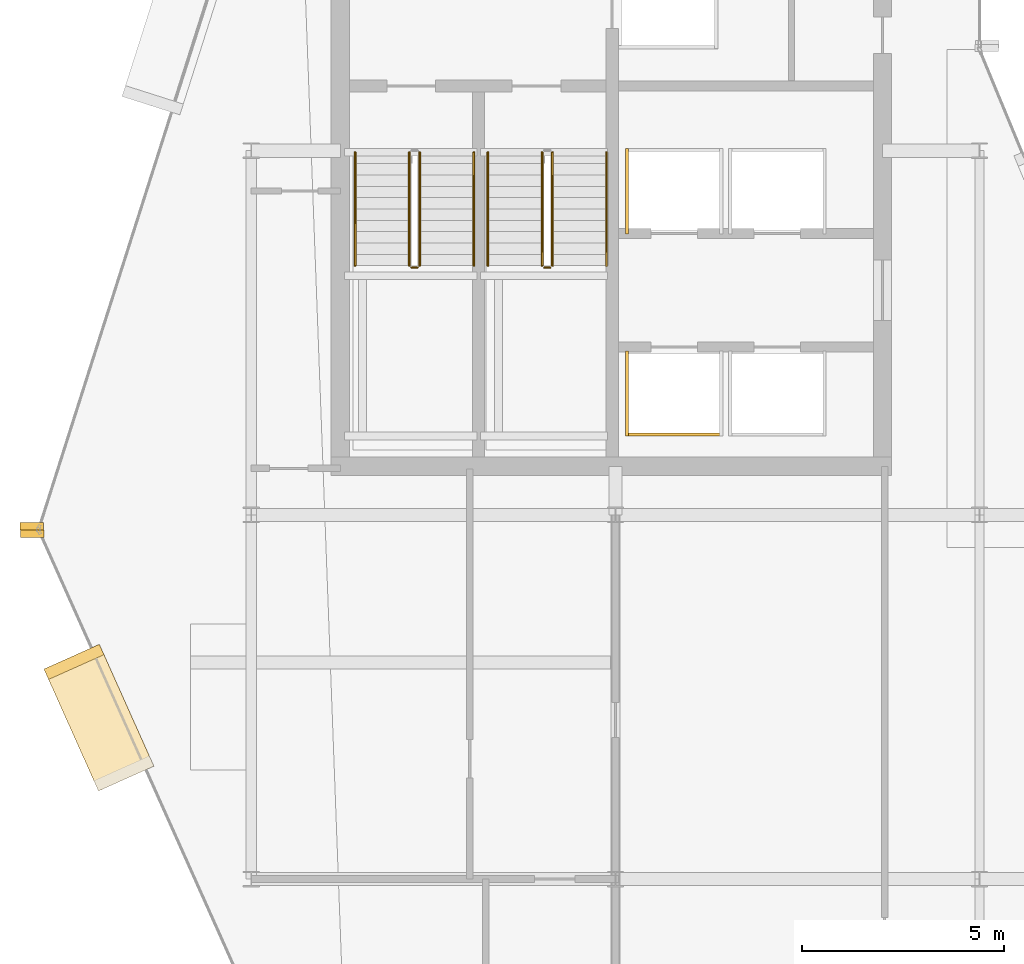
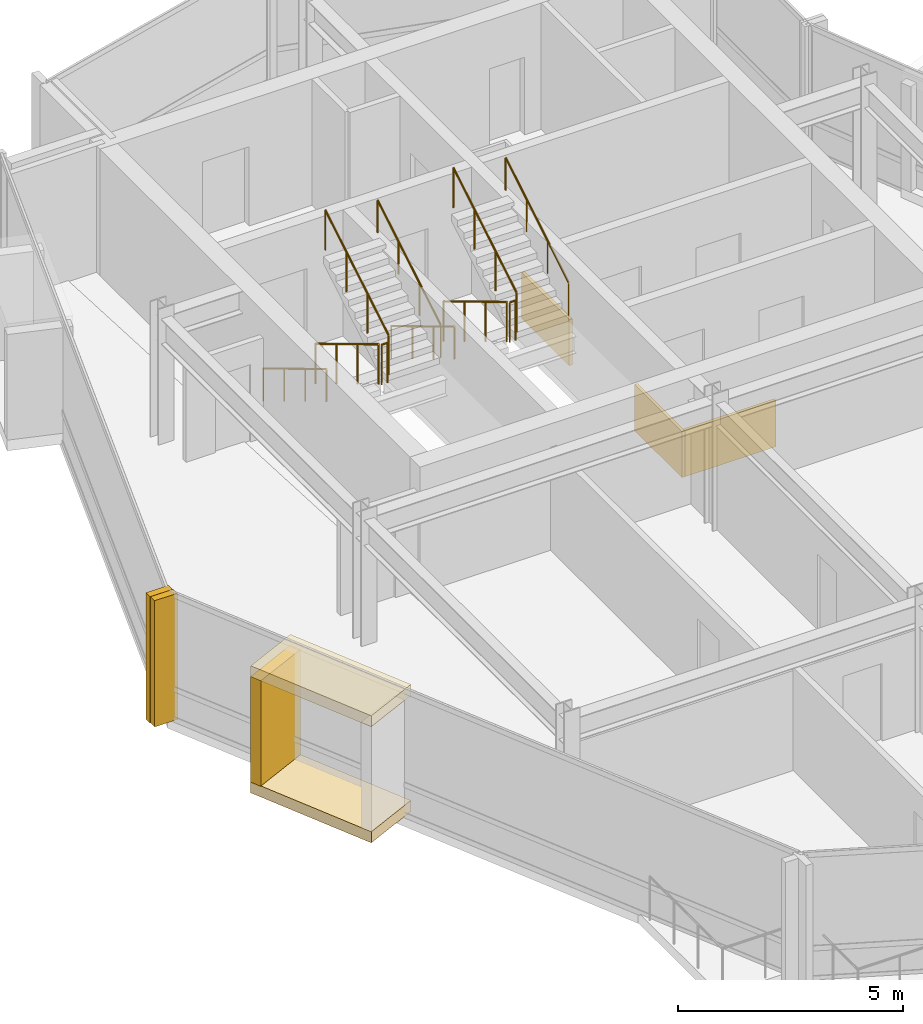
# One storey, part 17 of 19: 10 railings, 8 coverings.
"""IFC4 building model written with IfcOpenShell, lengths in metres."""

from ifc_helpers import new_model, si_unit, direction, frame, origin, origin_2d, place, context, subcontext, project, spatial, rectangle, circle, extrude, material, layer, layer_set, type_object, element, save


model = new_model("IFC4")

# Units and contexts
model_context = context("Model", 3, precision=1e-05, world=origin(), true_north=direction((0.0, 1.0)))
body_context = subcontext(model_context, "Body", "Model", "MODEL_VIEW")
ifc_project = project(units=[si_unit("LENGTHUNIT", "METRE"), si_unit("AREAUNIT", "SQUARE_METRE"), si_unit("VOLUMEUNIT", "CUBIC_METRE"), si_unit("PLANEANGLEUNIT", "RADIAN"), si_unit("MASSUNIT", "GRAM", prefix="KILO")], contexts=[model_context])

# Site, building, storey
site_placement = place(None, origin())
site = spatial("IfcSite", under=ifc_project, at=site_placement, CompositionType="ELEMENT")
building_placement = place(site_placement, origin())
building = spatial("IfcBuilding", under=site, at=building_placement, Name="Solvaryn Broadcast Tower", CompositionType="ELEMENT")
storey_placement = place(building_placement, frame((0.0, 0.0, 248.199951171875)))
storey = spatial("IfcBuildingStorey", under=building, at=storey_placement, Name="L62", CompositionType="ELEMENT", Elevation=248.199951171875)

# Coverings
ifc_material_1 = material(Name="Fire-Rated Gypsum Shaftwall Liner", Category="concrete")
ifc_layer_1 = layer(ifc_material_1, 0.080078125)
ifc_layer_set_1 = layer_set([ifc_layer_1], Name="CV-SHAFT-LINER")
covering_type_1 = type_object("IfcCoveringType", Name="CV-SHAFT-LINER", PredefinedType="CLADDING", material=ifc_layer_set_1)
covering_1_placement = place(storey_placement, frame((19.449951171875, 28.985107421875, 0.0), z_axis=(0.0, 0.0, 1.0), x_axis=(1.0, 0.0, 0.0)))
element("IfcCovering", 1, at=covering_1_placement, inside=storey, type_object=covering_type_1, Name="L62 PH1 Hoistway Shaft Liner South", PredefinedType="CLADDING", context=body_context, shape_type="SweptSolid", body=[
    extrude(rectangle(XDim=2.409912109375, YDim=0.080078125, at=origin_2d()), origin(), (0.0, 0.0, 1.0), 1.25),
])
for number, where, z_axis, x_axis, name in (
    (2, (18.284912109375, 30.0, 0.0), (0.0, 0.0, 1.0), (1.0, 0.0, 0.0), "L62 PH1 Hoistway Shaft Liner West"),
    (3, (18.284912109375, 35.0, 0.0), (0.0, 0.0, 1.0), (1.0, 0.0, 0.0), "L62 PH3 Hoistway Shaft Liner West"),
):
    element("IfcCovering", number, at=place(storey_placement, frame(where, z_axis=z_axis, x_axis=x_axis)), inside=storey, type_object=covering_type_1, Name=name, PredefinedType="CLADDING", context=body_context, shape_type="SweptSolid", body=[
        extrude(rectangle(XDim=0.080078125, YDim=2.110107421875, at=origin_2d()), origin(), (0.0, 0.0, 1.0), 1.25),
    ])
ifc_material_2 = material(Name="Glazed Architectural Terracotta Rainscreen Cladding", Category="masonry")
ifc_layer_2 = layer(ifc_material_2, 0.280029296875)
ifc_layer_set_2 = layer_set([ifc_layer_2], Name="CV-TC-CLAD")
covering_type_2 = type_object("IfcCoveringType", Name="CV-TC-CLAD", PredefinedType="CLADDING", material=ifc_layer_set_2)
for number, where, z_axis, x_axis, name in (
    (4, (5.236083984375, 21.989990234375, 3.1298828125), (0.0, 0.0, 1.0), (0.408489773781, -0.91276289622, 0.0), "L62 Projecting Stone Window Box Hood 2"),
    (5, (5.236083984375, 21.989990234375, -0.009765625), (0.0, 0.0, 1.0), (0.408489773781, -0.91276289622, 0.0), "L62 Projecting Stone Window Box Sill 2"),
):
    element("IfcCovering", number, at=place(storey_placement, frame(where, z_axis=z_axis, x_axis=x_axis)), inside=storey, type_object=covering_type_2, Name=name, PredefinedType="CLADDING", context=body_context, shape_type="SweptSolid", body=[
        extrude(rectangle(XDim=3.300048828125, YDim=1.5, at=origin_2d()), origin(), (0.0, 0.0, 1.0), 0.300048828125),
    ])
covering_2_placement = place(storey_placement, frame((4.619140625, 23.368408203125, 0.27978515625), z_axis=(0.0, 0.0, 1.0), x_axis=(0.408489773781, -0.91276289622, 0.0)))
element("IfcCovering", 6, at=covering_2_placement, inside=storey, type_object=covering_type_2, Name="L62 Projecting Stone Window Box Cheek 2-1", PredefinedType="CLADDING", context=body_context, shape_type="SweptSolid", body=[
    extrude(rectangle(XDim=0.280029296875, YDim=1.5, at=origin_2d()), origin(), (0.0, 0.0, 1.0), 2.860107421875),
])
ifc_material_3 = material(Name="Extruded Architectural Terracotta Fin", Category="masonry")
ifc_layer_3 = layer(ifc_material_3, 0.179931640625)
ifc_layer_set_3 = layer_set([ifc_layer_3], Name="CV-TC-FIN")
covering_type_3 = type_object("IfcCoveringType", Name="CV-TC-FIN", PredefinedType="USERDEFINED", material=ifc_layer_set_3)
for number, where, z_axis, x_axis, name in (
    (7, (3.575439453125, 26.71923828125, 0.0), (0.0, 0.0, 1.0), (1.0, 0.0, 0.0), "L62 Terracotta Vertical Fin FIN-L62-DR1-M01"),
    (8, (3.5859375, 26.53515625, 0.0), (0.0, 0.0, 1.0), (1.0, 0.0, 0.0), "L62 Terracotta Vertical Fin FIN-L62-DR2-M00"),
):
    element("IfcCovering", number, at=place(storey_placement, frame(where, z_axis=z_axis, x_axis=x_axis)), inside=storey, type_object=covering_type_3, Name=name, ObjectType="FIN", PredefinedType="USERDEFINED", context=body_context, shape_type="SweptSolid", body=[
        extrude(rectangle(XDim=0.580078125, YDim=0.179931640625, at=origin_2d()), origin(), (0.0, 0.0, 1.0), 3.419921875),
    ])

# Railings
ifc_material_4 = material(Name="Painted Steel Stair Well Guard", Category="steel")
railing_type_1 = type_object("IfcRailingType", Name="RL-STAIR-GUARD", PredefinedType="BALUSTRADE", material=ifc_material_4)
railing_1_placement = place(storey_placement, frame((12.909912109375, 35.9599609375, 0.168212890625)))
element("IfcRailing", 9, at=railing_1_placement, inside=storey, type_object=railing_type_1, Name="L62 ST1 stair guard 1", PredefinedType="BALUSTRADE", context=body_context, shape_type="SweptSolid", body=[
    extrude(circle(Radius=0.02392578125, at=origin_2d()), frame((0.0, 0.0, 1.076171875), z_axis=(0.0, -0.857242210791, 0.514913383045), x_axis=(1.0, 0.0, 0.0)), (0.0, 0.0, 1.0), 3.266357421875),
    extrude(circle(Radius=0.02099609375, at=origin_2d()), origin(), (0.0, 0.0, 1.0), 1.052001953125),
    extrude(circle(Radius=0.02099609375, at=origin_2d()), frame((0.0, -0.933349609375, 0.560546875)), (0.0, 0.0, 1.0), 1.052001953125),
    extrude(circle(Radius=0.02099609375, at=origin_2d()), frame((0.0, -1.86669921875, 1.121337890625)), (0.0, 0.0, 1.0), 1.052001953125),
    extrude(circle(Radius=0.02099609375, at=origin_2d()), frame((0.0, -2.800048828125, 1.681884765625)), (0.0, 0.0, 1.0), 1.052001953125),
])
railing_2_placement = place(storey_placement, frame((12.9599609375, 33.110107421875, 1.85009765625)))
element("IfcRailing", 10, at=railing_2_placement, inside=storey, type_object=railing_type_1, Name="L62 ST1 stair guard 2", PredefinedType="BALUSTRADE", context=body_context, shape_type="SweptSolid", body=[
    extrude(circle(Radius=0.02392578125, at=origin_2d()), frame((0.0, 0.0, 1.076171875), z_axis=(1.0, 0.0, 0.0), x_axis=(0.0, 1.0, 0.0)), (0.0, 0.0, 1.0), 0.150146484375),
    extrude(circle(Radius=0.02099609375, at=origin_2d()), origin(), (0.0, 0.0, 1.0), 1.052001953125),
    extrude(circle(Radius=0.02099609375, at=origin_2d()), frame((0.150146484375, 0.0, 0.0)), (0.0, 0.0, 1.0), 1.052001953125),
])
railing_3_placement = place(storey_placement, frame((13.159912109375, 33.159912109375, 2.018310546875)))
element("IfcRailing", 11, at=railing_3_placement, inside=storey, type_object=railing_type_1, Name="L62 ST1 stair guard 3", PredefinedType="BALUSTRADE", context=body_context, shape_type="SweptSolid", body=[
    extrude(circle(Radius=0.02392578125, at=origin_2d()), frame((0.0, 0.0, 1.076171875), z_axis=(0.0, 0.857275202839, 0.514858452973), x_axis=(-1.0, 0.0, 0.0)), (0.0, 0.0, 1.0), 3.26611328125),
    extrude(circle(Radius=0.02099609375, at=origin_2d()), origin(), (0.0, 0.0, 1.0), 1.052001953125),
    extrude(circle(Radius=0.02099609375, at=origin_2d()), frame((0.0, 0.933349609375, 0.560546875)), (0.0, 0.0, 1.0), 1.052001953125),
    extrude(circle(Radius=0.02099609375, at=origin_2d()), frame((0.0, 1.86669921875, 1.12109375)), (0.0, 0.0, 1.0), 1.052001953125),
    extrude(circle(Radius=0.02099609375, at=origin_2d()), frame((0.0, 2.800048828125, 1.681640625)), (0.0, 0.0, 1.0), 1.052001953125),
])
railing_4_placement = place(storey_placement, frame((16.18994140625, 35.9599609375, 0.168212890625)))
element("IfcRailing", 12, at=railing_4_placement, inside=storey, type_object=railing_type_1, Name="L62 ST2 stair guard 1", PredefinedType="BALUSTRADE", context=body_context, shape_type="SweptSolid", body=[
    extrude(circle(Radius=0.02392578125, at=origin_2d()), frame((0.0, 0.0, 1.076171875), z_axis=(0.0, -0.857242210791, 0.514913383045), x_axis=(1.0, 0.0, 0.0)), (0.0, 0.0, 1.0), 3.266357421875),
    extrude(circle(Radius=0.02099609375, at=origin_2d()), origin(), (0.0, 0.0, 1.0), 1.052001953125),
    extrude(circle(Radius=0.02099609375, at=origin_2d()), frame((0.0, -0.933349609375, 0.560546875)), (0.0, 0.0, 1.0), 1.052001953125),
    extrude(circle(Radius=0.02099609375, at=origin_2d()), frame((0.0, -1.86669921875, 1.121337890625)), (0.0, 0.0, 1.0), 1.052001953125),
    extrude(circle(Radius=0.02099609375, at=origin_2d()), frame((0.0, -2.800048828125, 1.681884765625)), (0.0, 0.0, 1.0), 1.052001953125),
])
railing_5_placement = place(storey_placement, frame((16.239990234375, 33.110107421875, 1.85009765625)))
element("IfcRailing", 13, at=railing_5_placement, inside=storey, type_object=railing_type_1, Name="L62 ST2 stair guard 2", PredefinedType="BALUSTRADE", context=body_context, shape_type="SweptSolid", body=[
    extrude(circle(Radius=0.02392578125, at=origin_2d()), frame((0.0, 0.0, 1.076171875), z_axis=(1.0, 0.0, 0.0), x_axis=(0.0, 1.0, 0.0)), (0.0, 0.0, 1.0), 0.14990234375),
    extrude(circle(Radius=0.02099609375, at=origin_2d()), origin(), (0.0, 0.0, 1.0), 1.052001953125),
    extrude(circle(Radius=0.02099609375, at=origin_2d()), frame((0.14990234375, 0.0, 0.0)), (0.0, 0.0, 1.0), 1.052001953125),
])
railing_6_placement = place(storey_placement, frame((16.43994140625, 33.159912109375, 2.018310546875)))
element("IfcRailing", 14, at=railing_6_placement, inside=storey, type_object=railing_type_1, Name="L62 ST2 stair guard 3", PredefinedType="BALUSTRADE", context=body_context, shape_type="SweptSolid", body=[
    extrude(circle(Radius=0.02392578125, at=origin_2d()), frame((0.0, 0.0, 1.076171875), z_axis=(0.0, 0.857275202839, 0.514858452973), x_axis=(-1.0, 0.0, 0.0)), (0.0, 0.0, 1.0), 3.26611328125),
    extrude(circle(Radius=0.02099609375, at=origin_2d()), origin(), (0.0, 0.0, 1.0), 1.052001953125),
    extrude(circle(Radius=0.02099609375, at=origin_2d()), frame((0.0, 0.933349609375, 0.560546875)), (0.0, 0.0, 1.0), 1.052001953125),
    extrude(circle(Radius=0.02099609375, at=origin_2d()), frame((0.0, 1.86669921875, 1.12109375)), (0.0, 0.0, 1.0), 1.052001953125),
    extrude(circle(Radius=0.02099609375, at=origin_2d()), frame((0.0, 2.800048828125, 1.681640625)), (0.0, 0.0, 1.0), 1.052001953125),
])
ifc_material_5 = material(Name="Brushed Stainless Steel Tubular Handrail", Category="steel")
railing_type_2 = type_object("IfcRailingType", Name="RL-STAIR-HANDRAIL", PredefinedType="HANDRAIL", material=ifc_material_5)
railing_7_placement = place(storey_placement, frame((11.570068359375, 35.9599609375, 0.168212890625)))
element("IfcRailing", 15, at=railing_7_placement, inside=storey, type_object=railing_type_2, Name="L62 ST1 stair handrail 1", PredefinedType="HANDRAIL", context=body_context, shape_type="SweptSolid", body=[
    extrude(circle(Radius=0.02392578125, at=origin_2d()), frame((0.0, 0.0, 0.8759765625), z_axis=(0.0, -0.857242210791, 0.514913383045), x_axis=(1.0, 0.0, 0.0)), (0.0, 0.0, 1.0), 3.266357421875),
    extrude(circle(Radius=0.02099609375, at=origin_2d()), origin(), (0.0, 0.0, 1.0), 0.851806640625),
    extrude(circle(Radius=0.02099609375, at=origin_2d()), frame((0.0, -0.933349609375, 0.560546875)), (0.0, 0.0, 1.0), 0.851806640625),
    extrude(circle(Radius=0.02099609375, at=origin_2d()), frame((0.0, -1.86669921875, 1.121337890625)), (0.0, 0.0, 1.0), 0.851806640625),
    extrude(circle(Radius=0.02099609375, at=origin_2d()), frame((0.0, -2.800048828125, 1.681884765625)), (0.0, 0.0, 1.0), 0.851806640625),
])
railing_8_placement = place(storey_placement, frame((14.5, 33.159912109375, 2.018310546875)))
element("IfcRailing", 16, at=railing_8_placement, inside=storey, type_object=railing_type_2, Name="L62 ST1 stair handrail 2", PredefinedType="HANDRAIL", context=body_context, shape_type="SweptSolid", body=[
    extrude(circle(Radius=0.02392578125, at=origin_2d()), frame((0.0, 0.0, 0.8759765625), z_axis=(0.0, 0.857275202839, 0.514858452973), x_axis=(-1.0, 0.0, 0.0)), (0.0, 0.0, 1.0), 3.26611328125),
    extrude(circle(Radius=0.02099609375, at=origin_2d()), origin(), (0.0, 0.0, 1.0), 0.851806640625),
    extrude(circle(Radius=0.02099609375, at=origin_2d()), frame((0.0, 0.933349609375, 0.560546875)), (0.0, 0.0, 1.0), 0.851806640625),
    extrude(circle(Radius=0.02099609375, at=origin_2d()), frame((0.0, 1.86669921875, 1.12109375)), (0.0, 0.0, 1.0), 0.851806640625),
    extrude(circle(Radius=0.02099609375, at=origin_2d()), frame((0.0, 2.800048828125, 1.681640625)), (0.0, 0.0, 1.0), 0.851806640625),
])
railing_9_placement = place(storey_placement, frame((14.85009765625, 35.9599609375, 0.168212890625)))
element("IfcRailing", 17, at=railing_9_placement, inside=storey, type_object=railing_type_2, Name="L62 ST2 stair handrail 1", PredefinedType="HANDRAIL", context=body_context, shape_type="SweptSolid", body=[
    extrude(circle(Radius=0.02392578125, at=origin_2d()), frame((0.0, 0.0, 0.8759765625), z_axis=(0.0, -0.857242210791, 0.514913383045), x_axis=(1.0, 0.0, 0.0)), (0.0, 0.0, 1.0), 3.266357421875),
    extrude(circle(Radius=0.02099609375, at=origin_2d()), origin(), (0.0, 0.0, 1.0), 0.851806640625),
    extrude(circle(Radius=0.02099609375, at=origin_2d()), frame((0.0, -0.933349609375, 0.560546875)), (0.0, 0.0, 1.0), 0.851806640625),
    extrude(circle(Radius=0.02099609375, at=origin_2d()), frame((0.0, -1.86669921875, 1.121337890625)), (0.0, 0.0, 1.0), 0.851806640625),
    extrude(circle(Radius=0.02099609375, at=origin_2d()), frame((0.0, -2.800048828125, 1.681884765625)), (0.0, 0.0, 1.0), 0.851806640625),
])
railing_10_placement = place(storey_placement, frame((17.780029296875, 33.159912109375, 2.018310546875)))
element("IfcRailing", 18, at=railing_10_placement, inside=storey, type_object=railing_type_2, Name="L62 ST2 stair handrail 2", PredefinedType="HANDRAIL", context=body_context, shape_type="SweptSolid", body=[
    extrude(circle(Radius=0.02392578125, at=origin_2d()), frame((0.0, 0.0, 0.8759765625), z_axis=(0.0, 0.857275202839, 0.514858452973), x_axis=(-1.0, 0.0, 0.0)), (0.0, 0.0, 1.0), 3.26611328125),
    extrude(circle(Radius=0.02099609375, at=origin_2d()), origin(), (0.0, 0.0, 1.0), 0.851806640625),
    extrude(circle(Radius=0.02099609375, at=origin_2d()), frame((0.0, 0.933349609375, 0.560546875)), (0.0, 0.0, 1.0), 0.851806640625),
    extrude(circle(Radius=0.02099609375, at=origin_2d()), frame((0.0, 1.86669921875, 1.12109375)), (0.0, 0.0, 1.0), 0.851806640625),
    extrude(circle(Radius=0.02099609375, at=origin_2d()), frame((0.0, 2.800048828125, 1.681640625)), (0.0, 0.0, 1.0), 0.851806640625),
])

save(model, "model.ifc")
